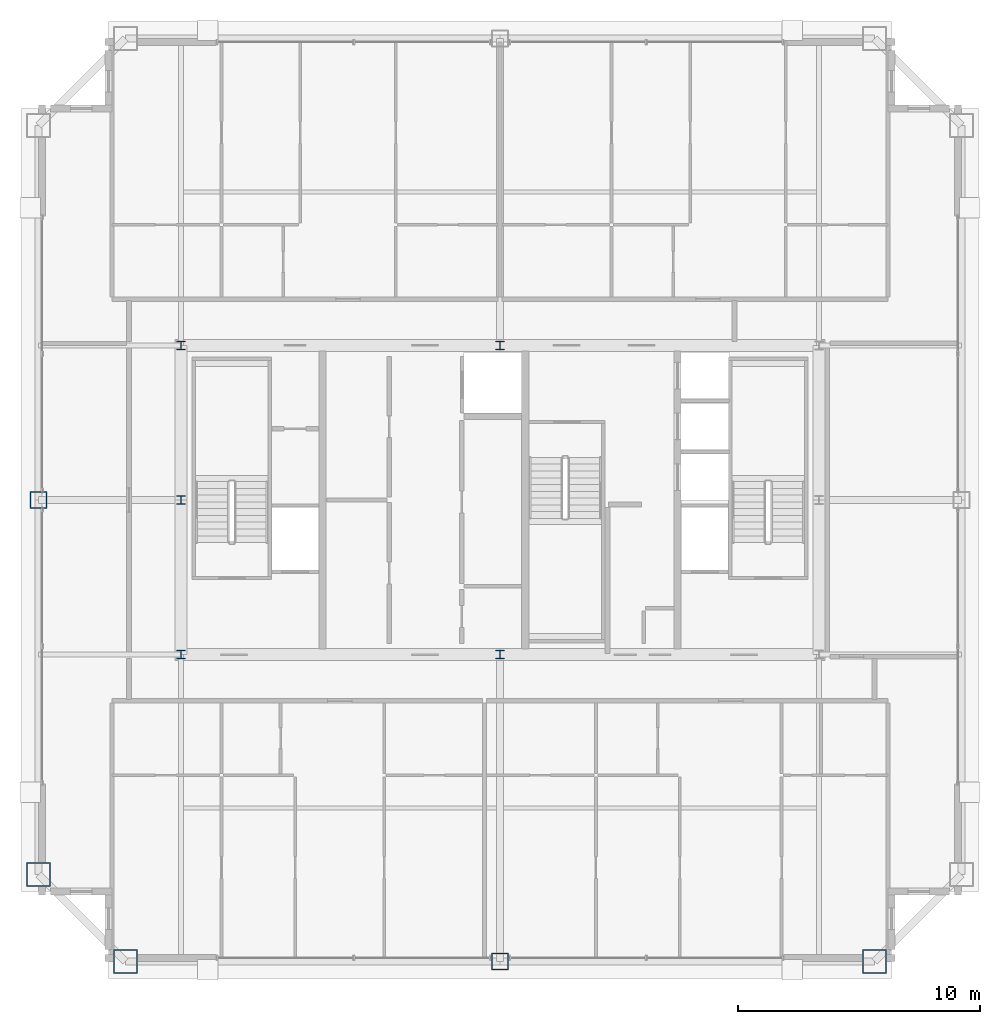
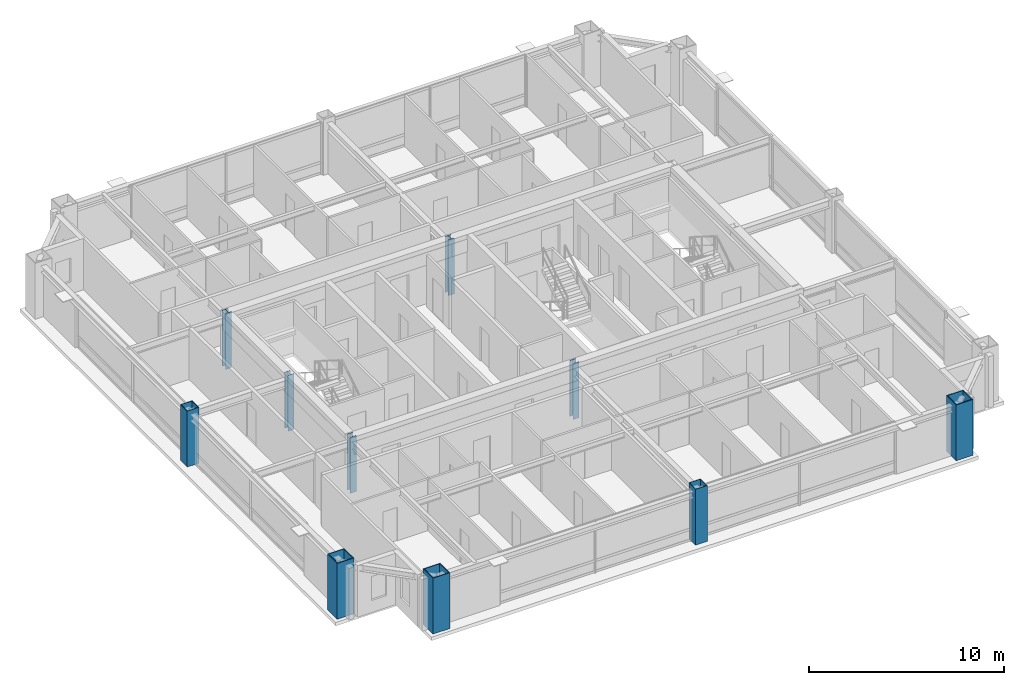
# One storey, part 1 of 35: 10 columns.
"""IFC4 building model written with IfcOpenShell, lengths in metres."""

from ifc_helpers import new_model, si_unit, direction, frame, origin, origin_2d, place, context, subcontext, project, spatial, hollow_rectangle, i_section, extrude, source, transform, mapped, material, material_profile, profile_set, type_object, element, save


model = new_model("IFC4")

# Units and contexts
model_context = context("Model", 3, precision=1e-05, world=origin(), true_north=direction((0.0, 1.0)))
body_context = subcontext(model_context, "Body", "Model", "MODEL_VIEW")
ifc_project = project(units=[si_unit("LENGTHUNIT", "METRE"), si_unit("AREAUNIT", "SQUARE_METRE"), si_unit("VOLUMEUNIT", "CUBIC_METRE"), si_unit("PLANEANGLEUNIT", "RADIAN"), si_unit("MASSUNIT", "GRAM", prefix="KILO"), si_unit("THERMODYNAMICTEMPERATUREUNIT", "KELVIN"), si_unit("POWERUNIT", "WATT")], contexts=[model_context])

# Site, building, storey
site_placement = place(None, origin())
site = spatial("IfcSite", under=ifc_project, at=site_placement, CompositionType="ELEMENT")
building_placement = place(site_placement, origin())
building = spatial("IfcBuilding", under=site, at=building_placement, Name="Yuzanri Waterfront Tower", CompositionType="ELEMENT")
storey_placement = place(building_placement, frame((0.0, 0.0, 303.10009765625)))
storey = spatial("IfcBuildingStorey", under=building, at=storey_placement, Name="L81", CompositionType="ELEMENT", Elevation=303.10009765625)

# Columns
ifc_material_1 = material(Name="Steel Q355B", Category="steel")
ifc_material_profile_1 = material_profile(ifc_material_1, hollow_rectangle(XDim=0.699951171875, YDim=0.699951171875, WallThickness=0.031982421875, at=origin_2d()), Name="RHS 700x700x32")
ifc_profile_set_1 = profile_set([ifc_material_profile_1], Name="Steel Q355B")
column_type_1 = type_object("IfcColumnType", Name="Frame Column Q355B RHS 700x700x32", PredefinedType="COLUMN", material=ifc_profile_set_1)
shared_shape_1 = source(origin(), body_context, "Body", "SweptSolid", [
    extrude(hollow_rectangle(XDim=0.699951171875, YDim=0.699951171875, WallThickness=0.031982421875, at=origin_2d()), origin(), (0.0, 0.0, 1.0), 3.5),
])
for number, where, z_axis, x_axis, name in (
    (1, (37.0, 6.699951171875, 0.0), (0.0, 0.0, 1.0), (1.0, 0.0, 0.0), "L81 Perimeter Frame Column S2"),
    (2, (17.89990234375, 25.800048828125, 0.0), (0.0, 0.0, 1.0), (1.0, 0.0, 0.0), "L81 Perimeter Frame Column W2"),
):
    element("IfcColumn", number, at=place(storey_placement, frame(where, z_axis=z_axis, x_axis=x_axis)), inside=storey, type_object=column_type_1, Name=name, PredefinedType="COLUMN", context=body_context, shape_type="MappedRepresentation", body=[
        mapped(shared_shape_1, transform((0.0, 0.0, 0.0), scale=1.0)),
    ])
ifc_material_2 = material(Name="Steel Q355B", Category="steel")
ifc_material_profile_2 = material_profile(ifc_material_2, i_section(OverallWidth=0.35009765625, OverallDepth=0.35009765625, WebThickness=0.011962890625, FlangeThickness=0.01904296875, at=origin_2d()), Name="HW 350x350x12x19")
ifc_profile_set_2 = profile_set([ifc_material_profile_2], Name="Steel Q355B")
column_type_2 = type_object("IfcColumnType", Name="Core Post Q355B HW 350x350x12x19", PredefinedType="COLUMN", material=ifc_profile_set_2)
shared_shape_2 = source(origin(), body_context, "Body", "SweptSolid", [
    extrude(i_section(OverallWidth=0.35009765625, OverallDepth=0.35009765625, WebThickness=0.011962890625, FlangeThickness=0.01904296875, at=origin_2d()), origin(), (0.0, 0.0, 1.0), 3.5),
])
for number, where, z_axis, x_axis, name in (
    (3, (23.800048828125, 19.39990234375, 0.0), (0.0, 0.0, 1.0), (1.0, 0.0, 0.0), "L81 Core Boundary Column CP1"),
    (4, (37.0, 19.39990234375, 0.0), (0.0, 0.0, 1.0), (1.0, 0.0, 0.0), "L81 Core Boundary Column CP2"),
    (5, (23.800048828125, 25.800048828125, 0.0), (0.0, 0.0, 1.0), (1.0, 0.0, 0.0), "L81 Core Boundary Column CP4"),
    (6, (23.800048828125, 32.199951171875, 0.0), (0.0, 0.0, 1.0), (1.0, 0.0, 0.0), "L81 Core Boundary Column CP6"),
    (7, (37.0, 32.199951171875, 0.0), (0.0, 0.0, 1.0), (1.0, 0.0, 0.0), "L81 Core Boundary Column CP7"),
):
    element("IfcColumn", number, at=place(storey_placement, frame(where, z_axis=z_axis, x_axis=x_axis)), inside=storey, type_object=column_type_2, Name=name, PredefinedType="COLUMN", context=body_context, shape_type="MappedRepresentation", body=[
        mapped(shared_shape_2, transform((0.0, 0.0, 0.0), scale=1.0)),
    ])
ifc_material_3 = material(Name="Steel Q390GJC", Category="steel")
ifc_material_profile_3 = material_profile(ifc_material_3, hollow_rectangle(XDim=1.0, YDim=1.0, WallThickness=0.048095703125, at=origin_2d()), Name="RHS 1000x1000x48")
ifc_profile_set_3 = profile_set([ifc_material_profile_3], Name="Steel Q390GJC")
column_type_3 = type_object("IfcColumnType", Name="Mega Column Q390GJC RHS 1000x1000x48", PredefinedType="COLUMN", material=ifc_profile_set_3)
shared_shape_3 = source(origin(), body_context, "Body", "SweptSolid", [
    extrude(hollow_rectangle(XDim=1.0, YDim=1.0, WallThickness=0.048095703125, at=origin_2d()), origin(), (0.0, 0.0, 1.0), 3.5),
])
for number, where, z_axis, x_axis, name in (
    (8, (21.5, 6.699951171875, 0.0), (0.0, 0.0, 1.0), (1.0, 0.0, 0.0), "L81 Perimeter Mega Column S1"),
    (9, (52.5, 6.699951171875, 0.0), (0.0, 0.0, 1.0), (1.0, 0.0, 0.0), "L81 Perimeter Mega Column S3"),
    (10, (17.89990234375, 10.300048828125, 0.0), (0.0, 0.0, 1.0), (1.0, 0.0, 0.0), "L81 Perimeter Mega Column W1"),
):
    element("IfcColumn", number, at=place(storey_placement, frame(where, z_axis=z_axis, x_axis=x_axis)), inside=storey, type_object=column_type_3, Name=name, PredefinedType="COLUMN", context=body_context, shape_type="MappedRepresentation", body=[
        mapped(shared_shape_3, transform((0.0, 0.0, 0.0), scale=1.0)),
    ])

save(model, "model.ifc")
